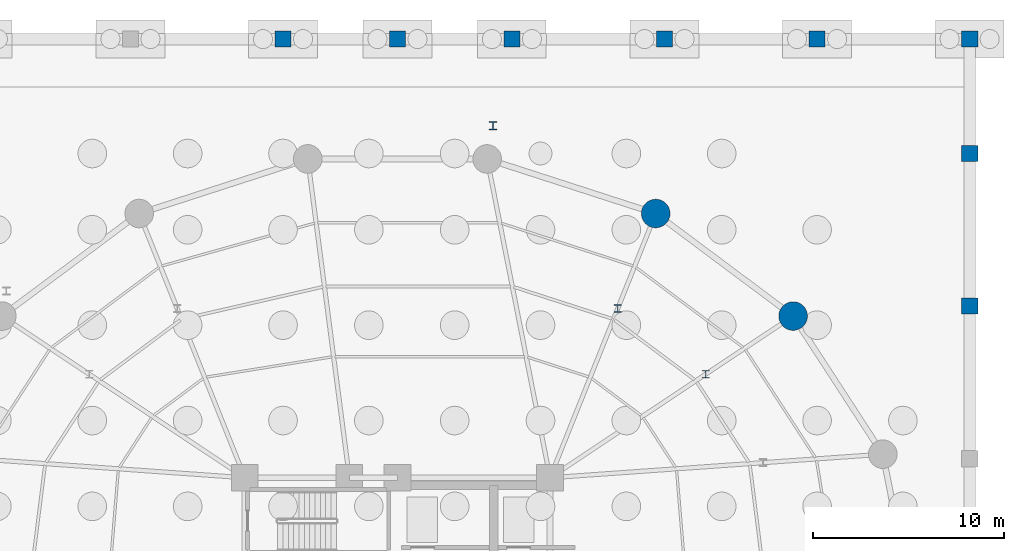
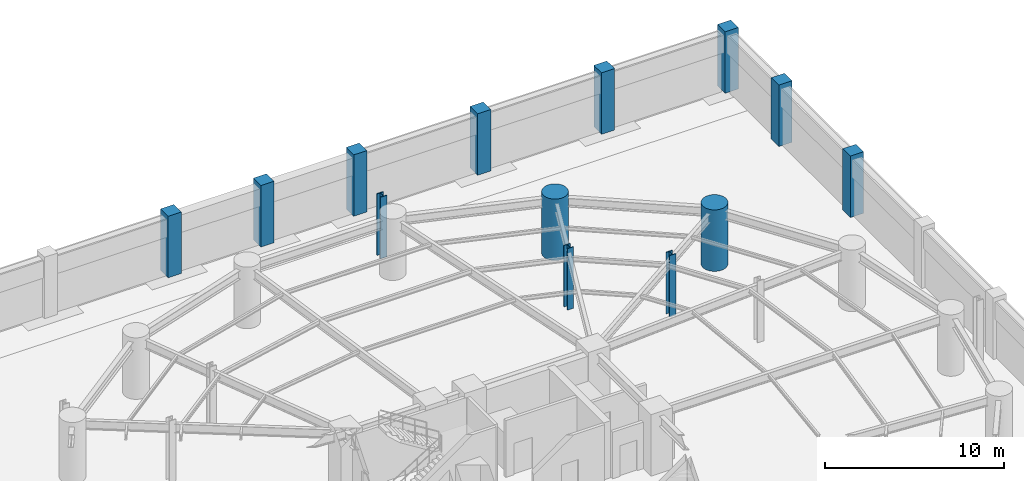
# One storey, part 7 of 23: 13 columns.
"""IFC4 building model written with IfcOpenShell, lengths in metres."""

from ifc_helpers import new_model, si_unit, direction, frame, origin, origin_2d, place, context, subcontext, project, spatial, rectangle, circle, i_section, extrude, material, material_profile, profile_set, type_object, element, save


model = new_model("IFC4")

# Units and contexts
model_context = context("Model", 3, precision=1e-05, world=origin(), true_north=direction((0.0, 1.0)))
body_context = subcontext(model_context, "Body", "Model", "MODEL_VIEW")
ifc_project = project(units=[si_unit("LENGTHUNIT", "METRE"), si_unit("AREAUNIT", "SQUARE_METRE"), si_unit("VOLUMEUNIT", "CUBIC_METRE"), si_unit("PLANEANGLEUNIT", "RADIAN"), si_unit("MASSUNIT", "GRAM", prefix="KILO")], contexts=[model_context])

# Site, building, storey
site_placement = place(None, origin())
site = spatial("IfcSite", under=ifc_project, at=site_placement, CompositionType="ELEMENT")
building_placement = place(site_placement, origin())
building = spatial("IfcBuilding", under=site, at=building_placement, Name="Kelanora Arch Commons", CompositionType="ELEMENT")
storey_placement = place(building_placement, frame((0.0, 0.0, -8.39990234375)))
storey = spatial("IfcBuildingStorey", under=building, at=storey_placement, Name="B02", CompositionType="ELEMENT", Elevation=-8.39990234375)

# Columns
ifc_material_1 = material(Name="Steel S355", Category="steel")
ifc_material_profile_1 = material_profile(ifc_material_1, i_section(OverallWidth=0.41796875, OverallDepth=0.455078125, WebThickness=0.0419921875, FlangeThickness=0.0673828125, FilletRadius=0.014892578125, at=origin_2d()), Name="HD400x551")
ifc_profile_set_1 = profile_set([ifc_material_profile_1], Name="Steel S355")
column_type_1 = type_object("IfcColumnType", Name="COL-ABUT", PredefinedType="COLUMN", material=ifc_profile_set_1)
column_placement = place(storey_placement, frame((79.009765625, 83.457275390625, 0.0), z_axis=(0.0, 0.0, 1.0), x_axis=(1.0, 0.0, 0.0)))
element("IfcColumn", 1, at=column_placement, inside=storey, type_object=column_type_1, Name="Giant Arch Abutment Thrust Column 2 B02", PredefinedType="COLUMN", context=body_context, shape_type="SweptSolid", body=[
    extrude(i_section(OverallWidth=0.41796875, OverallDepth=0.455078125, WebThickness=0.0419921875, FlangeThickness=0.0673828125, FilletRadius=0.014892578125, at=origin_2d()), origin(), (0.0, 0.0, 1.0), 4.199951171875),
])
ifc_material_2 = material(Name="Concrete C50/60", Category="concrete")
ifc_material_profile_2 = material_profile(ifc_material_2, rectangle(XDim=0.85009765625, YDim=0.85009765625, at=origin_2d()), Name="RC850x850")
ifc_profile_set_2 = profile_set([ifc_material_profile_2], Name="Concrete C50/60")
column_type_2 = type_object("IfcColumnType", Name="COL-BSMT", PredefinedType="COLUMN", material=ifc_profile_set_2)
for number, where, z_axis, x_axis, name in (
    (2, (68.0, 88.0, 0.0), (0.0, 0.0, 1.0), (1.0, 0.0, 0.0), "Basement Column 9-M B02"),
    (3, (74.0, 88.0, 0.0), (0.0, 0.0, 1.0), (1.0, 0.0, 0.0), "Basement Column 10-M B02"),
    (4, (80.0, 88.0, 0.0), (0.0, 0.0, 1.0), (1.0, 0.0, 0.0), "Basement Column 11-M B02"),
    (5, (88.0, 88.0, 0.0), (0.0, 0.0, 1.0), (1.0, 0.0, 0.0), "Basement Column 12-M B02"),
    (6, (96.0, 88.0, 0.0), (0.0, 0.0, 1.0), (1.0, 0.0, 0.0), "Basement Column 13-M B02"),
    (7, (104.0, 74.0, 0.0), (0.0, 0.0, 1.0), (1.0, 0.0, 0.0), "Basement Column 14-K B02"),
    (8, (104.0, 82.0, 0.0), (0.0, 0.0, 1.0), (1.0, 0.0, 0.0), "Basement Column 14-L B02"),
    (9, (104.0, 88.0, 0.0), (0.0, 0.0, 1.0), (1.0, 0.0, 0.0), "Basement Column 14-M B02"),
):
    element("IfcColumn", number, at=place(storey_placement, frame(where, z_axis=z_axis, x_axis=x_axis)), inside=storey, type_object=column_type_2, Name=name, PredefinedType="COLUMN", context=body_context, shape_type="SweptSolid", body=[
        extrude(rectangle(XDim=0.85009765625, YDim=0.85009765625, at=origin_2d()), origin(), (0.0, 0.0, 1.0), 4.199951171875),
    ])
ifc_material_3 = material(Name="Concrete C60/75", Category="concrete")
ifc_material_profile_3 = material_profile(ifc_material_3, circle(Radius=0.75, at=origin_2d()), Name="RCC1500")
ifc_profile_set_3 = profile_set([ifc_material_profile_3], Name="Concrete C60/75")
column_type_3 = type_object("IfcColumnType", Name="COL-PERIM-Z1", PredefinedType="COLUMN", material=ifc_profile_set_3)
for number, where, z_axis, x_axis, name in (
    (10, (94.744384765625, 73.478271484375, 0.0), (0.0, 0.0, 1.0), (1.0, 0.0, 0.0), "Perimeter Ring Column CP-04 B02"),
    (11, (87.5400390625, 78.85400390625, 0.0), (0.0, 0.0, 1.0), (1.0, 0.0, 0.0), "Perimeter Ring Column CP-06 B02"),
):
    element("IfcColumn", number, at=place(storey_placement, frame(where, z_axis=z_axis, x_axis=x_axis)), inside=storey, type_object=column_type_3, Name=name, PredefinedType="COLUMN", context=body_context, shape_type="SweptSolid", body=[
        extrude(circle(Radius=0.75, at=origin_2d()), origin(), (0.0, 0.0, 1.0), 4.199951171875),
    ])
ifc_material_profile_4 = material_profile(ifc_material_1, i_section(OverallWidth=0.406005859375, OverallDepth=0.416015625, WebThickness=0.029052734375, FlangeThickness=0.048095703125, FilletRadius=0.014892578125, at=origin_2d()), Name="HD400x382")
ifc_profile_set_4 = profile_set([ifc_material_profile_4], Name="Steel S355")
column_type_4 = type_object("IfcColumnType", Name="COL-PORCH", PredefinedType="COLUMN", material=ifc_profile_set_4)
for number, where, z_axis, x_axis, name in (
    (12, (90.156494140625, 70.426025390625, 0.0), (0.0, 0.0, 1.0), (1.0, 0.0, 0.0), "Recessed Arch Portal Column CAP-04 B02"),
    (13, (85.545654296875, 73.866455078125, 0.0), (0.0, 0.0, 1.0), (1.0, 0.0, 0.0), "Recessed Arch Portal Column CAP-06 B02"),
):
    element("IfcColumn", number, at=place(storey_placement, frame(where, z_axis=z_axis, x_axis=x_axis)), inside=storey, type_object=column_type_4, Name=name, PredefinedType="COLUMN", context=body_context, shape_type="SweptSolid", body=[
        extrude(i_section(OverallWidth=0.406005859375, OverallDepth=0.416015625, WebThickness=0.029052734375, FlangeThickness=0.048095703125, FilletRadius=0.014892578125, at=origin_2d()), origin(), (0.0, 0.0, 1.0), 4.199951171875),
    ])

save(model, "model.ifc")
